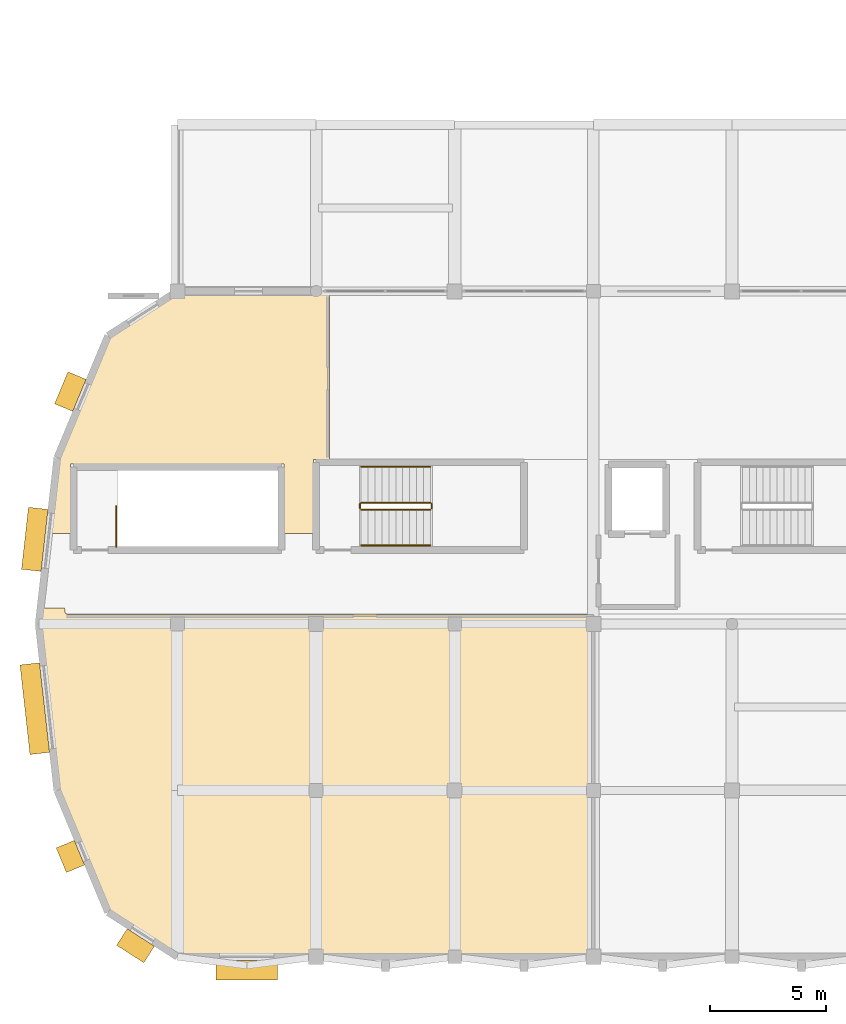
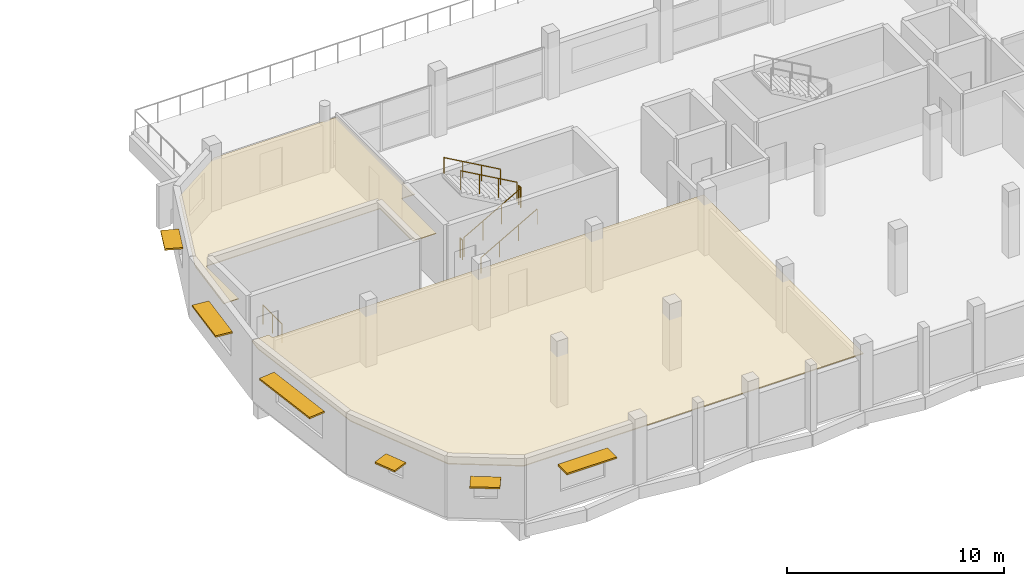
# One storey, part 15 of 19: 7 railings, 6 shading devices, 2 coverings.
"""IFC4 building model written with IfcOpenShell, lengths in metres."""

from ifc_helpers import new_model, si_unit, direction, frame, origin, origin_2d, place, context, subcontext, project, spatial, polyline, rectangle, circle, outline, extrude, material, layer, layer_set, type_object, element, save


model = new_model("IFC4")

# Units and contexts
model_context = context("Model", 3, precision=1e-05, world=origin(), true_north=direction((0.0, 1.0)))
body_context = subcontext(model_context, "Body", "Model", "MODEL_VIEW")
ifc_project = project(units=[si_unit("LENGTHUNIT", "METRE"), si_unit("AREAUNIT", "SQUARE_METRE"), si_unit("VOLUMEUNIT", "CUBIC_METRE"), si_unit("PLANEANGLEUNIT", "RADIAN"), si_unit("MASSUNIT", "GRAM", prefix="KILO")], contexts=[model_context])

# Site, building, storey
site_placement = place(None, origin())
site = spatial("IfcSite", under=ifc_project, at=site_placement, CompositionType="ELEMENT")
building_placement = place(site_placement, origin())
building = spatial("IfcBuilding", under=site, at=building_placement, Name="Dunvalen Ferry Terminal", CompositionType="ELEMENT")
storey_placement = place(building_placement, frame((0.0, 0.0, 13.580078125)))
storey = spatial("IfcBuildingStorey", under=building, at=storey_placement, Name="L03", CompositionType="ELEMENT", Elevation=13.580078125)

# Shading devices
ifc_material_1 = material(Name="Anodised marine aluminium EN AW-6063 T6", Category="aluminium")
ifc_layer_1 = layer(ifc_material_1, 0.090087890625, Name="Anodised marine aluminium EN AW-6063 T6")
ifc_layer_set_1 = layer_set([ifc_layer_1], Name="Anodised marine aluminium EN AW-6063 T6")
shading_device_type = type_object("IfcShadingDeviceType", Name="ENV-SHD-AWN01", PredefinedType="AWNING", material=ifc_layer_set_1)
shading_device_1_placement = place(storey_placement, frame((21.0, -0.5810546875, 2.43505859375), z_axis=(0.0, 0.0, 1.0), x_axis=(1.0, 0.0, 0.0)))
element("IfcShadingDevice", 1, at=shading_device_1_placement, inside=storey, type_object=shading_device_type, Name="L03 Streamline Brise-Soleil Eyebrow 035", PredefinedType="AWNING", context=body_context, shape_type="SweptSolid", body=[
    extrude(rectangle(XDim=2.64990234375, YDim=0.85009765625, at=origin_2d()), origin(), (0.0, 0.0, 1.0), 0.090087890625),
])
shading_device_2_placement = place(storey_placement, frame((13.365478515625, 24.458984375, 2.384765625), z_axis=(0.0, 0.0, 1.0), x_axis=(-0.384620358717, -0.923074850519, 0.0)))
element("IfcShadingDevice", 2, at=shading_device_2_placement, inside=storey, type_object=shading_device_type, Name="L03 Streamline Brise-Soleil Eyebrow 041", PredefinedType="AWNING", context=body_context, shape_type="SweptSolid", body=[
    extrude(rectangle(XDim=1.5, YDim=0.85009765625, at=origin_2d()), origin(), (0.0, 0.0, 1.0), 0.090087890625),
])
shading_device_3_placement = place(storey_placement, frame((11.824462890625, 18.064453125, 2.3349609375), z_axis=(0.0, 0.0, 1.0), x_axis=(-0.110949633794, -0.99382603043, 0.0)))
element("IfcShadingDevice", 3, at=shading_device_3_placement, inside=storey, type_object=shading_device_type, Name="L03 Streamline Brise-Soleil Eyebrow 042", PredefinedType="AWNING", context=body_context, shape_type="SweptSolid", body=[
    extrude(rectangle(XDim=2.699951171875, YDim=0.85009765625, at=origin_2d()), origin(), (0.0, 0.0, 1.0), 0.090087890625),
])
shading_device_4_placement = place(storey_placement, frame((11.824462890625, 10.735595703125, 2.48486328125), z_axis=(0.0, 0.0, 1.0), x_axis=(0.110949633794, -0.99382603043, 0.0)))
element("IfcShadingDevice", 4, at=shading_device_4_placement, inside=storey, type_object=shading_device_type, Name="L03 Streamline Brise-Soleil Eyebrow 043", PredefinedType="AWNING", context=body_context, shape_type="SweptSolid", body=[
    extrude(rectangle(XDim=3.89990234375, YDim=0.85009765625, at=origin_2d()), origin(), (0.0, 0.0, 1.0), 0.090087890625),
])
shading_device_5_placement = place(storey_placement, frame((13.365478515625, 4.341064453125, 2.03466796875), z_axis=(0.0, 0.0, 1.0), x_axis=(0.384620358717, -0.923074850519, 0.0)))
element("IfcShadingDevice", 5, at=shading_device_5_placement, inside=storey, type_object=shading_device_type, Name="L03 Streamline Brise-Soleil Eyebrow 044", PredefinedType="AWNING", context=body_context, shape_type="SweptSolid", body=[
    extrude(rectangle(XDim=1.14990234375, YDim=0.85009765625, at=origin_2d()), origin(), (0.0, 0.0, 1.0), 0.090087890625),
])
shading_device_6_placement = place(storey_placement, frame((16.185791015625, 0.475830078125, 2.28466796875), z_axis=(0.0, 0.0, 1.0), x_axis=(0.841098303695, -0.540882282499, 0.0)))
element("IfcShadingDevice", 6, at=shading_device_6_placement, inside=storey, type_object=shading_device_type, Name="L03 Streamline Brise-Soleil Eyebrow 045", PredefinedType="AWNING", context=body_context, shape_type="SweptSolid", body=[
    extrude(rectangle(XDim=1.39990234375, YDim=0.85009765625, at=origin_2d()), origin(), (0.0, 0.0, 1.0), 0.090087890625),
])

# Coverings
ifc_material_2 = material(Name="Perforated marine aluminium acoustic baffle ceiling", Category="aluminium")
ifc_layer_2 = layer(ifc_material_2, 0.0400390625, Name="Perforated marine aluminium acoustic baffle ceiling")
ifc_layer_set_2 = layer_set([ifc_layer_2], Name="Perforated marine aluminium acoustic baffle ceiling")
covering_type_1 = type_object("IfcCoveringType", Name="INT-COV-CLG01", PredefinedType="CEILING", material=ifc_layer_set_2)
covering_1_placement = place(storey_placement, frame((0.0, 0.0, 2.809814453125)))
element("IfcCovering", 7, at=covering_1_placement, inside=storey, type_object=covering_type_1, Name="L03 North Harbour Viewing and Weather Briefing Room Acoustic Suspended Ceiling", PredefinedType="CEILING", context=body_context, shape_type="SweptSolid", body=[
    extrude(outline(polyline([(22.61279296875, 21.320068359375), (22.6201171875, 21.312744140625), (22.6201171875, 18.31005859375), (23.8798828125, 18.31005859375), (23.8798828125, 21.515869140625), (24.590087890625, 21.5205078125), (24.590087890625, 28.669921875), (18.0380859375, 28.669921875), (15.1044921875, 26.783447265625), (12.930908203125, 21.567138671875), (12.5673828125, 18.31005859375), (13.3798828125, 18.31005859375), (13.3798828125, 21.3173828125), (22.61279296875, 21.320068359375)])), origin(), (0.0, 0.0, 1.0), 0.0400390625),
])
ifc_material_3 = material(Name="Moisture-resistant mineral-fibre acoustic ceiling", Category="gypsum")
ifc_layer_3 = layer(ifc_material_3, 0.050048828125, Name="Moisture-resistant mineral-fibre acoustic ceiling")
ifc_layer_set_3 = layer_set([ifc_layer_3], Name="Moisture-resistant mineral-fibre acoustic ceiling")
covering_type_2 = type_object("IfcCoveringType", Name="INT-COV-CLG02", PredefinedType="CEILING", material=ifc_layer_set_3)
covering_2_placement = place(storey_placement, frame((0.0, 0.0, 2.7998046875)))
element("IfcCovering", 8, at=covering_2_placement, inside=storey, type_object=covering_type_2, Name="L03 Dublin Bay Pilotage Command Suite Acoustic Suspended Ceiling", PredefinedType="CEILING", context=body_context, shape_type="SweptSolid", body=[
    extrude(outline(polyline([(13.222412109375, 14.830078125), (13.149658203125, 14.868896484375), (13.1181640625, 15.090087890625), (12.2080078125, 15.090087890625), (12.130859375, 14.39990234375), (12.930908203125, 7.23291015625), (15.1044921875, 2.0166015625), (18.0380859375, 0.1298828125), (36.090087890625, 0.1298828125), (36.090087890625, 14.830078125), (13.222412109375, 14.830078125)])), origin(), (0.0, 0.0, 1.0), 0.050048828125),
])

# Railings
ifc_material_4 = material(Name="Painted galvanised steel S275", Category="steel")
railing_type_1 = type_object("IfcRailingType", Name="INT-RL-STGRD", PredefinedType="GUARDRAIL", material=ifc_material_4)
railing_1_placement = place(storey_placement, frame((25.949951171875, 19.35009765625, 0.169921875)))
element("IfcRailing", 9, at=railing_1_placement, inside=storey, type_object=railing_type_1, Name="L03 ST1 stair guard 1", PredefinedType="GUARDRAIL", context=body_context, shape_type="SweptSolid", body=[
    extrude(circle(Radius=0.02392578125, at=origin_2d()), frame((0.0, 0.0, 1.076171875), z_axis=(0.870028259722, 0.0, 0.493001853226), x_axis=(0.0, 1.0, 0.0)), (0.0, 0.0, 1.0), 3.4482421875),
    extrude(circle(Radius=0.02099609375, at=origin_2d()), origin(), (0.0, 0.0, 1.0), 1.052001953125),
    extrude(circle(Radius=0.02099609375, at=origin_2d()), frame((1.0, 0.0, 0.566650390625)), (0.0, 0.0, 1.0), 1.052001953125),
    extrude(circle(Radius=0.02099609375, at=origin_2d()), frame((2.0, 0.0, 1.13330078125)), (0.0, 0.0, 1.0), 1.052001953125),
    extrude(circle(Radius=0.02099609375, at=origin_2d()), frame((3.0, 0.0, 1.699951171875)), (0.0, 0.0, 1.0), 1.052001953125),
])
railing_2_placement = place(storey_placement, frame((29.0, 19.39990234375, 1.869873046875)))
element("IfcRailing", 10, at=railing_2_placement, inside=storey, type_object=railing_type_1, Name="L03 ST1 stair guard 2", PredefinedType="GUARDRAIL", context=body_context, shape_type="SweptSolid", body=[
    extrude(circle(Radius=0.02392578125, at=origin_2d()), frame((0.0, 0.0, 1.076171875), z_axis=(0.0, 1.0, 0.0), x_axis=(-1.0, 0.0, 0.0)), (0.0, 0.0, 1.0), 0.2001953125),
    extrude(circle(Radius=0.02099609375, at=origin_2d()), origin(), (0.0, 0.0, 1.0), 1.052001953125),
    extrude(circle(Radius=0.02099609375, at=origin_2d()), frame((0.0, 0.2001953125, 0.0)), (0.0, 0.0, 1.0), 1.052001953125),
])
railing_3_placement = place(storey_placement, frame((28.949951171875, 19.64990234375, 2.0400390625)))
element("IfcRailing", 11, at=railing_3_placement, inside=storey, type_object=railing_type_1, Name="L03 ST1 stair guard 3", PredefinedType="GUARDRAIL", context=body_context, shape_type="SweptSolid", body=[
    extrude(circle(Radius=0.02392578125, at=origin_2d()), frame((0.0, 0.0, 1.076171875), z_axis=(-0.870028259722, 0.0, 0.493001853226), x_axis=(0.0, -1.0, 0.0)), (0.0, 0.0, 1.0), 3.4482421875),
    extrude(circle(Radius=0.02099609375, at=origin_2d()), origin(), (0.0, 0.0, 1.0), 1.052001953125),
    extrude(circle(Radius=0.02099609375, at=origin_2d()), frame((-1.0, 0.0, 0.566650390625)), (0.0, 0.0, 1.0), 1.052001953125),
    extrude(circle(Radius=0.02099609375, at=origin_2d()), frame((-2.0, 0.0, 1.13330078125)), (0.0, 0.0, 1.0), 1.052001953125),
    extrude(circle(Radius=0.02099609375, at=origin_2d()), frame((-3.0, 0.0, 1.699951171875)), (0.0, 0.0, 1.0), 1.052001953125),
])
railing_4_placement = place(storey_placement, frame((25.89990234375, 19.39990234375, 0.0)))
element("IfcRailing", 12, at=railing_4_placement, inside=storey, type_object=railing_type_1, Name="L03 ST1 stair guard 4", PredefinedType="GUARDRAIL", context=body_context, shape_type="SweptSolid", body=[
    extrude(circle(Radius=0.02392578125, at=origin_2d()), frame((0.0, 0.0, 1.076171875), z_axis=(0.0, 1.0, 0.0), x_axis=(-1.0, 0.0, 0.0)), (0.0, 0.0, 1.0), 0.2001953125),
    extrude(circle(Radius=0.02099609375, at=origin_2d()), origin(), (0.0, 0.0, 1.0), 1.052001953125),
    extrude(circle(Radius=0.02099609375, at=origin_2d()), frame((0.0, 0.2001953125, 0.0)), (0.0, 0.0, 1.0), 1.052001953125),
])
railing_5_placement = place(storey_placement, frame((15.35009765625, 17.75, 0.0)))
element("IfcRailing", 13, at=railing_5_placement, inside=storey, type_object=railing_type_1, Name="L03 ST5 top well guard 1", PredefinedType="GUARDRAIL", context=body_context, shape_type="SweptSolid", body=[
    extrude(circle(Radius=0.02392578125, at=origin_2d()), frame((0.0, 0.0, 1.076171875), z_axis=(0.0, 1.0, 0.0), x_axis=(-1.0, 0.0, 0.0)), (0.0, 0.0, 1.0), 1.75),
    extrude(circle(Radius=0.02099609375, at=origin_2d()), origin(), (0.0, 0.0, 1.0), 1.052001953125),
    extrude(circle(Radius=0.02099609375, at=origin_2d()), frame((0.0, 0.875, 0.0)), (0.0, 0.0, 1.0), 1.052001953125),
    extrude(circle(Radius=0.02099609375, at=origin_2d()), frame((0.0, 1.75, 0.0)), (0.0, 0.0, 1.0), 1.052001953125),
])
ifc_material_5 = material(Name="Brushed 316 stainless steel", Category="steel")
railing_type_2 = type_object("IfcRailingType", Name="INT-RL-STHND", PredefinedType="HANDRAIL", material=ifc_material_5)
railing_6_placement = place(storey_placement, frame((25.949951171875, 17.800048828125, 0.169921875)))
element("IfcRailing", 14, at=railing_6_placement, inside=storey, type_object=railing_type_2, Name="L03 ST1 stair handrail 1", PredefinedType="HANDRAIL", context=body_context, shape_type="SweptSolid", body=[
    extrude(circle(Radius=0.02392578125, at=origin_2d()), frame((0.0, 0.0, 0.8759765625), z_axis=(0.870028259722, 0.0, 0.493001853226), x_axis=(0.0, 1.0, 0.0)), (0.0, 0.0, 1.0), 3.4482421875),
    extrude(circle(Radius=0.02099609375, at=origin_2d()), origin(), (0.0, 0.0, 1.0), 0.851806640625),
    extrude(circle(Radius=0.02099609375, at=origin_2d()), frame((1.0, 0.0, 0.566650390625)), (0.0, 0.0, 1.0), 0.851806640625),
    extrude(circle(Radius=0.02099609375, at=origin_2d()), frame((2.0, 0.0, 1.13330078125)), (0.0, 0.0, 1.0), 0.851806640625),
    extrude(circle(Radius=0.02099609375, at=origin_2d()), frame((3.0, 0.0, 1.699951171875)), (0.0, 0.0, 1.0), 0.851806640625),
])
railing_7_placement = place(storey_placement, frame((28.949951171875, 21.199951171875, 2.0400390625)))
element("IfcRailing", 15, at=railing_7_placement, inside=storey, type_object=railing_type_2, Name="L03 ST1 stair handrail 2", PredefinedType="HANDRAIL", context=body_context, shape_type="SweptSolid", body=[
    extrude(circle(Radius=0.02392578125, at=origin_2d()), frame((0.0, 0.0, 0.8759765625), z_axis=(-0.870028259722, 0.0, 0.493001853226), x_axis=(0.0, -1.0, 0.0)), (0.0, 0.0, 1.0), 3.4482421875),
    extrude(circle(Radius=0.02099609375, at=origin_2d()), origin(), (0.0, 0.0, 1.0), 0.851806640625),
    extrude(circle(Radius=0.02099609375, at=origin_2d()), frame((-1.0, 0.0, 0.566650390625)), (0.0, 0.0, 1.0), 0.851806640625),
    extrude(circle(Radius=0.02099609375, at=origin_2d()), frame((-2.0, 0.0, 1.13330078125)), (0.0, 0.0, 1.0), 0.851806640625),
    extrude(circle(Radius=0.02099609375, at=origin_2d()), frame((-3.0, 0.0, 1.699951171875)), (0.0, 0.0, 1.0), 0.851806640625),
])

save(model, "model.ifc")
